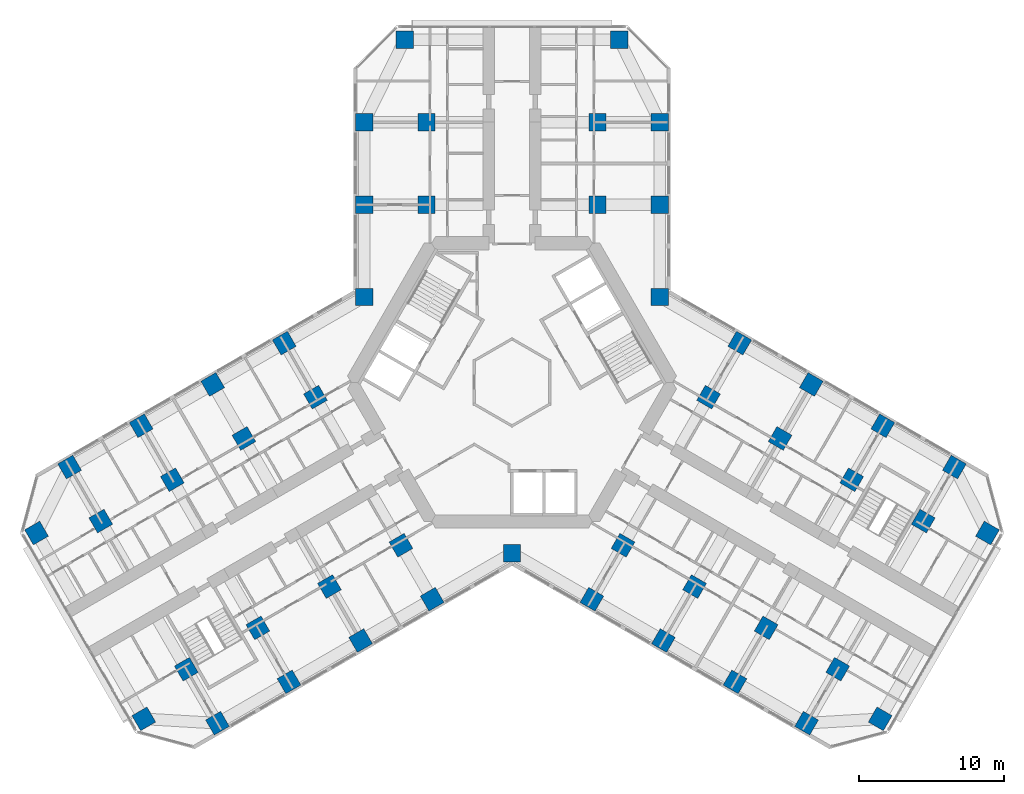
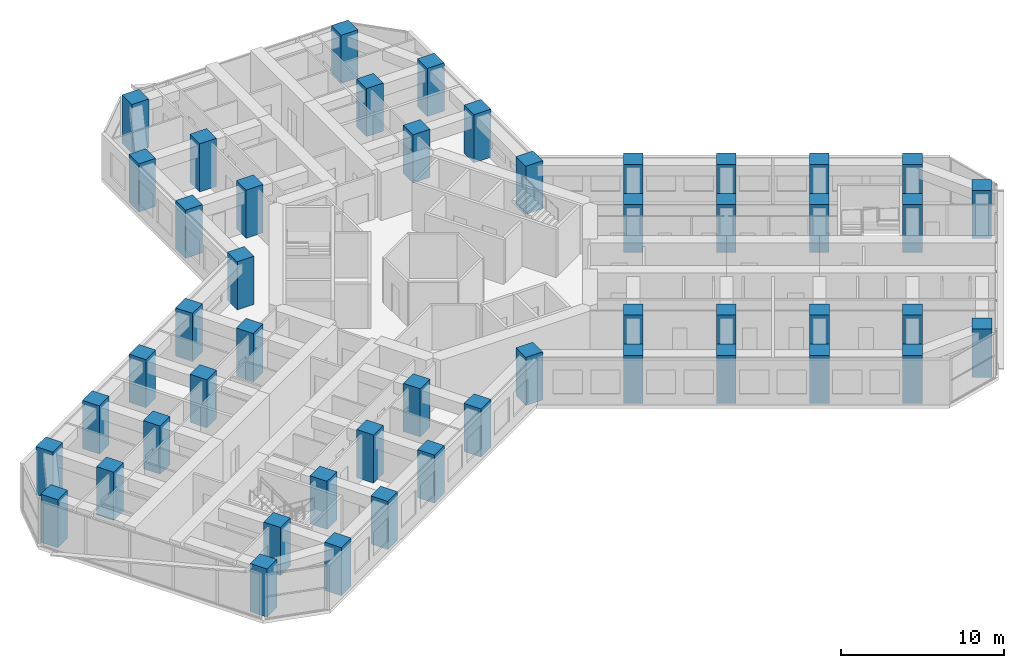
# One storey, part 1 of 20: 49 columns.
"""IFC4 building model written with IfcOpenShell, lengths in metres."""

from ifc_helpers import new_model, si_unit, direction, frame, origin, origin_2d, place, context, subcontext, project, spatial, rectangle, extrude, material, material_profile, profile_set, type_object, element, save


model = new_model("IFC4")

# Units and contexts
model_context = context("Model", 3, precision=1e-05, world=origin(), true_north=direction((0.0, 1.0)))
body_context = subcontext(model_context, "Body", "Model", "MODEL_VIEW")
ifc_project = project(units=[si_unit("LENGTHUNIT", "METRE"), si_unit("AREAUNIT", "SQUARE_METRE"), si_unit("VOLUMEUNIT", "CUBIC_METRE"), si_unit("PLANEANGLEUNIT", "RADIAN"), si_unit("MASSUNIT", "GRAM", prefix="KILO")], contexts=[model_context])

# Site, building, storey
site_placement = place(None, origin())
site = spatial("IfcSite", under=ifc_project, at=site_placement, CompositionType="ELEMENT")
building_placement = place(site_placement, origin())
building = spatial("IfcBuilding", under=site, at=building_placement, Name="Kosmar Iwan School Tower", CompositionType="ELEMENT")
storey_placement = place(building_placement, frame((0.0, 0.0, 123.800048828125)))
storey = spatial("IfcBuildingStorey", under=building, at=storey_placement, Name="L30", CompositionType="ELEMENT", Elevation=123.800048828125)

# Columns
ifc_material_1 = material(Name="Concrete C50/60", Category="concrete")
ifc_material_profile_1 = material_profile(ifc_material_1, rectangle(XDim=1.199951171875, YDim=1.199951171875, at=origin_2d()), Name="RC 1200x1200 + HD 400x634")
ifc_profile_set_1 = profile_set([ifc_material_profile_1], Name="Concrete C50/60")
column_type_1 = type_object("IfcColumnType", Name="Composite column 1200x1200 HD 400x634", PredefinedType="COLUMN", material=ifc_profile_set_1)
for number, where, z_axis, x_axis, name in (
    (1, (-10.199951171875, 12.25, 0.0), (0.0, 0.0, 1.0), (0.0, 1.0, 0.0), "Column AL1 L30"),
    (2, (-10.199951171875, 17.949951171875, 0.0), (0.0, 0.0, 1.0), (0.0, 1.0, 0.0), "Column AL2 L30"),
    (3, (-7.39990234375, 23.64990234375, 0.0), (0.0, 0.0, 1.0), (0.0, 1.0, 0.0), "Column ALTIP L30"),
    (4, (10.199951171875, 12.25, 0.0), (0.0, 0.0, 1.0), (0.0, 1.0, 0.0), "Column AR1 L30"),
    (5, (10.199951171875, 17.949951171875, 0.0), (0.0, 0.0, 1.0), (0.0, 1.0, 0.0), "Column AR2 L30"),
    (6, (7.39990234375, 23.64990234375, 0.0), (0.0, 0.0, 1.0), (0.0, 1.0, 0.0), "Column ARTIP L30"),
    (7, (-5.5087890625, -14.95849609375, 0.0), (0.0, 0.0, 1.0), (-0.866025403784, -0.5, 0.0), "Column BL1 L30"),
    (8, (-10.445068359375, -17.808349609375, 0.0), (0.0, 0.0, 1.0), (-0.866025403784, -0.5, 0.0), "Column BL2 L30"),
    (9, (-15.381591796875, -20.658447265625, 0.0), (0.0, 0.0, 1.0), (-0.866025403784, -0.5, 0.0), "Column BL3 L30"),
    (10, (-20.31787109375, -23.508544921875, 0.0), (0.0, 0.0, 1.0), (-0.866025403784, -0.5, 0.0), "Column BL4 L30"),
    (11, (-25.3984375, -23.20849609375, 0.0), (0.0, 0.0, 1.0), (-0.866025403784, -0.5, 0.0), "Column BLTIP L30"),
    (12, (-15.708740234375, 2.70849609375, 0.0), (0.0, 0.0, 1.0), (-0.866025403784, -0.5, 0.0), "Column BR1 L30"),
    (13, (-20.645263671875, -0.1416015625, 0.0), (0.0, 0.0, 1.0), (-0.866025403784, -0.5, 0.0), "Column BR2 L30"),
    (14, (-25.58154296875, -2.991455078125, 0.0), (0.0, 0.0, 1.0), (-0.866025403784, -0.5, 0.0), "Column BR3 L30"),
    (15, (-30.517822265625, -5.841552734375, 0.0), (0.0, 0.0, 1.0), (-0.866025403784, -0.5, 0.0), "Column BR4 L30"),
    (16, (-32.79833984375, -10.391357421875, 0.0), (0.0, 0.0, 1.0), (-0.866025403784, -0.5, 0.0), "Column BRTIP L30"),
    (17, (15.708740234375, 2.70849609375, 0.0), (0.0, 0.0, 1.0), (0.866025403784, -0.5, 0.0), "Column CL1 L30"),
    (18, (20.645263671875, -0.1416015625, 0.0), (0.0, 0.0, 1.0), (0.866025403784, -0.5, 0.0), "Column CL2 L30"),
    (19, (25.58154296875, -2.991455078125, 0.0), (0.0, 0.0, 1.0), (0.866025403784, -0.5, 0.0), "Column CL3 L30"),
    (20, (30.517822265625, -5.841552734375, 0.0), (0.0, 0.0, 1.0), (0.866025403784, -0.5, 0.0), "Column CL4 L30"),
    (21, (32.79833984375, -10.391357421875, 0.0), (0.0, 0.0, 1.0), (0.866025403784, -0.5, 0.0), "Column CLTIP L30"),
    (22, (5.5087890625, -14.95849609375, 0.0), (0.0, 0.0, 1.0), (0.866025403784, -0.5, 0.0), "Column CR1 L30"),
    (23, (10.445068359375, -17.808349609375, 0.0), (0.0, 0.0, 1.0), (0.866025403784, -0.5, 0.0), "Column CR2 L30"),
    (24, (15.381591796875, -20.658447265625, 0.0), (0.0, 0.0, 1.0), (0.866025403784, -0.5, 0.0), "Column CR3 L30"),
    (25, (20.31787109375, -23.508544921875, 0.0), (0.0, 0.0, 1.0), (0.866025403784, -0.5, 0.0), "Column CR4 L30"),
    (26, (25.3984375, -23.20849609375, 0.0), (0.0, 0.0, 1.0), (0.866025403784, -0.5, 0.0), "Column CRTIP L30"),
    (27, (-10.199951171875, 5.888916015625, 0.0), (0.0, 0.0, 1.0), (1.0, 0.0, 0.0), "Column RAB L30"),
    (28, (10.199951171875, 5.888916015625, 0.0), (0.0, 0.0, 1.0), (1.0, 0.0, 0.0), "Column RAC L30"),
    (29, (0.0, -11.77783203125, 0.0), (0.0, 0.0, 1.0), (1.0, 0.0, 0.0), "Column RBC L30"),
):
    element("IfcColumn", number, at=place(storey_placement, frame(where, z_axis=z_axis, x_axis=x_axis)), inside=storey, type_object=column_type_1, Name=name, PredefinedType="COLUMN", context=body_context, shape_type="SweptSolid", body=[
        extrude(rectangle(XDim=1.199951171875, YDim=1.199951171875, at=origin_2d()), origin(), (0.0, 0.0, 1.0), 3.599853515625),
    ])
ifc_material_2 = material(Name="Concrete C50/60", Category="concrete")
ifc_material_profile_2 = material_profile(ifc_material_2, rectangle(XDim=1.199951171875, YDim=1.199951171875, at=origin_2d()), Name="RC 1200x1200")
ifc_profile_set_2 = profile_set([ifc_material_profile_2], Name="Concrete C50/60")
column_type_2 = type_object("IfcColumnType", Name="RC interior column 1200x1200", PredefinedType="COLUMN", material=ifc_profile_set_2)
for number, where, z_axis, x_axis, name in (
    (30, (-5.89990234375, 12.25, 0.0), (0.0, 0.0, 1.0), (0.0, 1.0, 0.0), "Interior column ALI1 L30"),
    (31, (-5.89990234375, 17.949951171875, 0.0), (0.0, 0.0, 1.0), (0.0, 1.0, 0.0), "Interior column ALI2 L30"),
    (32, (5.89990234375, 12.25, 0.0), (0.0, 0.0, 1.0), (0.0, 1.0, 0.0), "Interior column ARI1 L30"),
    (33, (5.89990234375, 17.949951171875, 0.0), (0.0, 0.0, 1.0), (0.0, 1.0, 0.0), "Interior column ARI2 L30"),
    (34, (-7.65869140625, -11.234619140625, 0.0), (0.0, 0.0, 1.0), (-0.866025403784, -0.5, 0.0), "Interior column BLI1 L30"),
    (35, (-12.59521484375, -14.08447265625, 0.0), (0.0, 0.0, 1.0), (-0.866025403784, -0.5, 0.0), "Interior column BLI2 L30"),
    (36, (-17.531494140625, -16.9345703125, 0.0), (0.0, 0.0, 1.0), (-0.866025403784, -0.5, 0.0), "Interior column BLI3 L30"),
    (37, (-22.4677734375, -19.78466796875, 0.0), (0.0, 0.0, 1.0), (-0.866025403784, -0.5, 0.0), "Interior column BLI4 L30"),
    (38, (-13.558837890625, -1.015380859375, 0.0), (0.0, 0.0, 1.0), (-0.866025403784, -0.5, 0.0), "Interior column BRI1 L30"),
    (39, (-18.4951171875, -3.865478515625, 0.0), (0.0, 0.0, 1.0), (-0.866025403784, -0.5, 0.0), "Interior column BRI2 L30"),
    (40, (-23.431396484375, -6.71533203125, 0.0), (0.0, 0.0, 1.0), (-0.866025403784, -0.5, 0.0), "Interior column BRI3 L30"),
    (41, (-28.367919921875, -9.5654296875, 0.0), (0.0, 0.0, 1.0), (-0.866025403784, -0.5, 0.0), "Interior column BRI4 L30"),
    (42, (13.558837890625, -1.015380859375, 0.0), (0.0, 0.0, 1.0), (0.866025403784, -0.5, 0.0), "Interior column CLI1 L30"),
    (43, (18.4951171875, -3.865478515625, 0.0), (0.0, 0.0, 1.0), (0.866025403784, -0.5, 0.0), "Interior column CLI2 L30"),
    (44, (23.431396484375, -6.71533203125, 0.0), (0.0, 0.0, 1.0), (0.866025403784, -0.5, 0.0), "Interior column CLI3 L30"),
    (45, (28.367919921875, -9.5654296875, 0.0), (0.0, 0.0, 1.0), (0.866025403784, -0.5, 0.0), "Interior column CLI4 L30"),
    (46, (7.65869140625, -11.234619140625, 0.0), (0.0, 0.0, 1.0), (0.866025403784, -0.5, 0.0), "Interior column CRI1 L30"),
    (47, (12.59521484375, -14.08447265625, 0.0), (0.0, 0.0, 1.0), (0.866025403784, -0.5, 0.0), "Interior column CRI2 L30"),
    (48, (17.531494140625, -16.9345703125, 0.0), (0.0, 0.0, 1.0), (0.866025403784, -0.5, 0.0), "Interior column CRI3 L30"),
    (49, (22.4677734375, -19.78466796875, 0.0), (0.0, 0.0, 1.0), (0.866025403784, -0.5, 0.0), "Interior column CRI4 L30"),
):
    element("IfcColumn", number, at=place(storey_placement, frame(where, z_axis=z_axis, x_axis=x_axis)), inside=storey, type_object=column_type_2, Name=name, PredefinedType="COLUMN", context=body_context, shape_type="SweptSolid", body=[
        extrude(rectangle(XDim=1.199951171875, YDim=1.199951171875, at=origin_2d()), origin(), (0.0, 0.0, 1.0), 3.599853515625),
    ])

save(model, "model.ifc")
